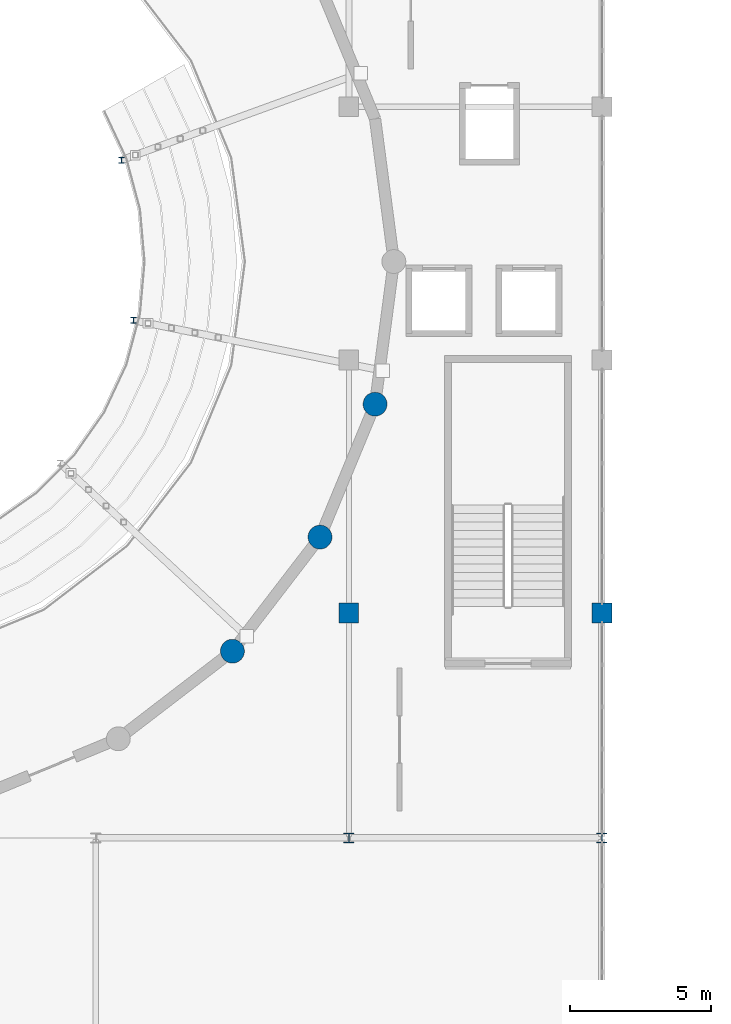
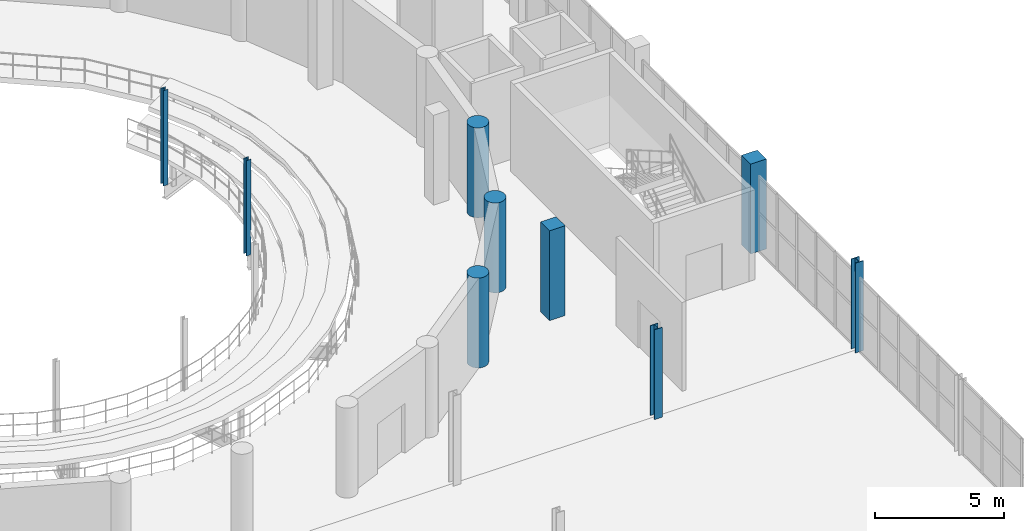
# One storey, part 10 of 73: 9 columns.
"""IFC4 building model written with IfcOpenShell, lengths in metres."""

from ifc_helpers import new_model, si_unit, direction, frame, origin, origin_2d, place, context, subcontext, project, spatial, rectangle, circle, i_section, extrude, material, material_profile, profile_set, type_object, element, save


model = new_model("IFC4")

# Units and contexts
model_context = context("Model", 3, precision=1e-05, world=origin(), true_north=direction((0.0, 1.0)))
body_context = subcontext(model_context, "Body", "Model", "MODEL_VIEW")
ifc_project = project(units=[si_unit("LENGTHUNIT", "METRE"), si_unit("AREAUNIT", "SQUARE_METRE"), si_unit("VOLUMEUNIT", "CUBIC_METRE"), si_unit("PLANEANGLEUNIT", "RADIAN"), si_unit("MASSUNIT", "GRAM", prefix="KILO")], contexts=[model_context])

# Site, building, storey
site_placement = place(None, origin())
site = spatial("IfcSite", under=ifc_project, at=site_placement, CompositionType="ELEMENT")
building_placement = place(site_placement, origin())
building = spatial("IfcBuilding", under=site, at=building_placement, Name="Marnock Terrace Opera House", CompositionType="ELEMENT")
storey_placement = place(building_placement, frame((0.0, 0.0, 14.699951171875)))
storey = spatial("IfcBuildingStorey", under=building, at=storey_placement, Name="L03", CompositionType="ELEMENT", Elevation=14.699951171875)

# Columns
ifc_material_1 = material(Name="Concrete N50 (f'c = 50 MPa)", Category="concrete")
ifc_material_profile_1 = material_profile(ifc_material_1, circle(Radius=0.425048828125, at=origin_2d()))
ifc_profile_set_1 = profile_set([ifc_material_profile_1], Name="Concrete N50 (f'c = 50 MPa)")
column_type_1 = type_object("IfcColumnType", Name="COL-DRUM-850", PredefinedType="COLUMN", material=ifc_profile_set_1)
for number, where, z_axis, x_axis, name in (
    (1, (95.85888671875, 46.64111328125, 0.0), (0.0, 0.0, 1.0), (1.0, 0.0, 0.0), "L03 auditorium drum pier 22"),
    (2, (98.97412109375, 50.699951171875, 0.0), (0.0, 0.0, 1.0), (1.0, 0.0, 0.0), "L03 auditorium drum pier 23"),
    (3, (100.931884765625, 55.427001953125, 0.0), (0.0, 0.0, 1.0), (1.0, 0.0, 0.0), "L03 auditorium drum pier 24"),
):
    element("IfcColumn", number, at=place(storey_placement, frame(where, z_axis=z_axis, x_axis=x_axis)), inside=storey, type_object=column_type_1, Name=name, PredefinedType="COLUMN", context=body_context, shape_type="SweptSolid", body=[
        extrude(circle(Radius=0.425048828125, at=origin_2d()), origin(), (0.0, 0.0, 1.0), 4.25),
    ])
ifc_material_2 = material(Name="Concrete N40 (f'c = 40 MPa)", Category="concrete")
ifc_material_profile_2 = material_profile(ifc_material_2, rectangle(XDim=0.699951171875, YDim=0.699951171875, at=origin_2d()))
ifc_profile_set_2 = profile_set([ifc_material_profile_2], Name="Concrete N40 (f'c = 40 MPa)")
column_type_2 = type_object("IfcColumnType", Name="COL-RC700", PredefinedType="COLUMN", material=ifc_profile_set_2)
for number, where, z_axis, x_axis, name in (
    (4, (100.0, 48.0, 0.0), (0.0, 0.0, 1.0), (1.0, 0.0, 0.0), "L03 column at (100.0, 48.0)"),
    (5, (109.0, 48.0, 0.0), (0.0, 0.0, 1.0), (1.0, 0.0, 0.0), "L03 column at (109.0, 48.0)"),
):
    element("IfcColumn", number, at=place(storey_placement, frame(where, z_axis=z_axis, x_axis=x_axis)), inside=storey, type_object=column_type_2, Name=name, PredefinedType="COLUMN", context=body_context, shape_type="SweptSolid", body=[
        extrude(rectangle(XDim=0.699951171875, YDim=0.699951171875, at=origin_2d()), origin(), (0.0, 0.0, 1.0), 4.25),
    ])
ifc_material_3 = material(Name="Steel Grade 350 (AS/NZS 3679.1)", Category="steel")
ifc_material_profile_3 = material_profile(ifc_material_3, i_section(OverallWidth=0.205078125, OverallDepth=0.209716796875, WebThickness=0.00927734375, FlangeThickness=0.01416015625, FilletRadius=0.011474609375, at=origin_2d()))
ifc_profile_set_3 = profile_set([ifc_material_profile_3], Name="Steel Grade 350 (AS/NZS 3679.1)")
column_type_3 = type_object("IfcColumnType", Name="COL-UC200", PredefinedType="COLUMN", material=ifc_profile_set_3)
for number, where, z_axis, x_axis, name in (
    (6, (92.3408203125, 58.40966796875, -0.81005859375), (0.0, 0.0, 1.0), (1.0, 0.0, 0.0), "L03 Auditorium balcony-front column 7"),
    (7, (91.913818359375, 64.1083984375, -0.81005859375), (0.0, 0.0, 1.0), (1.0, 0.0, 0.0), "L03 Auditorium balcony-front column 8"),
):
    element("IfcColumn", number, at=place(storey_placement, frame(where, z_axis=z_axis, x_axis=x_axis)), inside=storey, type_object=column_type_3, Name=name, PredefinedType="COLUMN", context=body_context, shape_type="SweptSolid", body=[
        extrude(i_section(OverallWidth=0.205078125, OverallDepth=0.209716796875, WebThickness=0.00927734375, FlangeThickness=0.01416015625, FilletRadius=0.011474609375, at=origin_2d()), origin(), (0.0, 0.0, 1.0), 4.510009765625),
    ])
ifc_material_4 = material(Name="Steel Grade 350 Welded (AS/NZS 3679.2)", Category="steel")
ifc_material_profile_4 = material_profile(ifc_material_4, i_section(OverallWidth=0.35009765625, OverallDepth=0.35009765625, WebThickness=0.01611328125, FlangeThickness=0.028076171875, at=origin_2d()))
ifc_profile_set_4 = profile_set([ifc_material_profile_4], Name="Steel Grade 350 Welded (AS/NZS 3679.2)")
column_type_4 = type_object("IfcColumnType", Name="COL-WC350", PredefinedType="COLUMN", material=ifc_profile_set_4)
for number, where, z_axis, x_axis, name in (
    (8, (100.0, 40.0, 0.0), (0.0, 0.0, 1.0), (1.0, 0.0, 0.0), "L03 column at (100.0, 40.0)"),
    (9, (109.0, 40.0, 0.0), (0.0, 0.0, 1.0), (1.0, 0.0, 0.0), "L03 column at (109.0, 40.0)"),
):
    element("IfcColumn", number, at=place(storey_placement, frame(where, z_axis=z_axis, x_axis=x_axis)), inside=storey, type_object=column_type_4, Name=name, PredefinedType="COLUMN", context=body_context, shape_type="SweptSolid", body=[
        extrude(i_section(OverallWidth=0.35009765625, OverallDepth=0.35009765625, WebThickness=0.01611328125, FlangeThickness=0.028076171875, at=origin_2d()), origin(), (0.0, 0.0, 1.0), 4.25),
    ])

save(model, "model.ifc")
